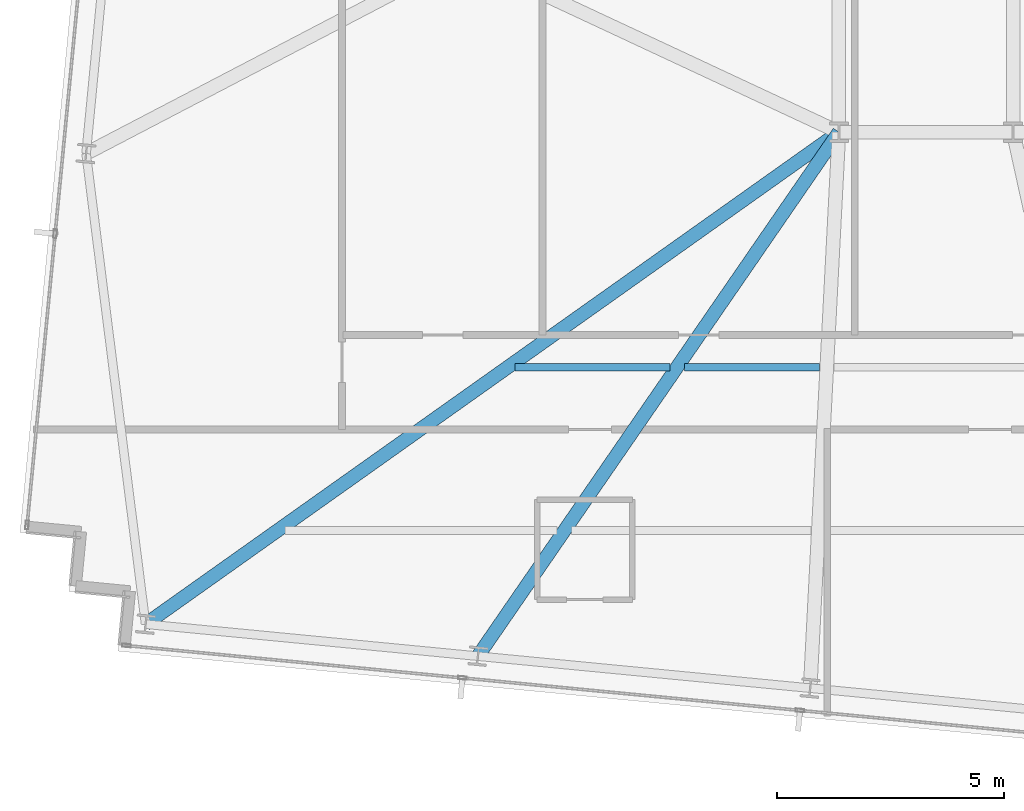
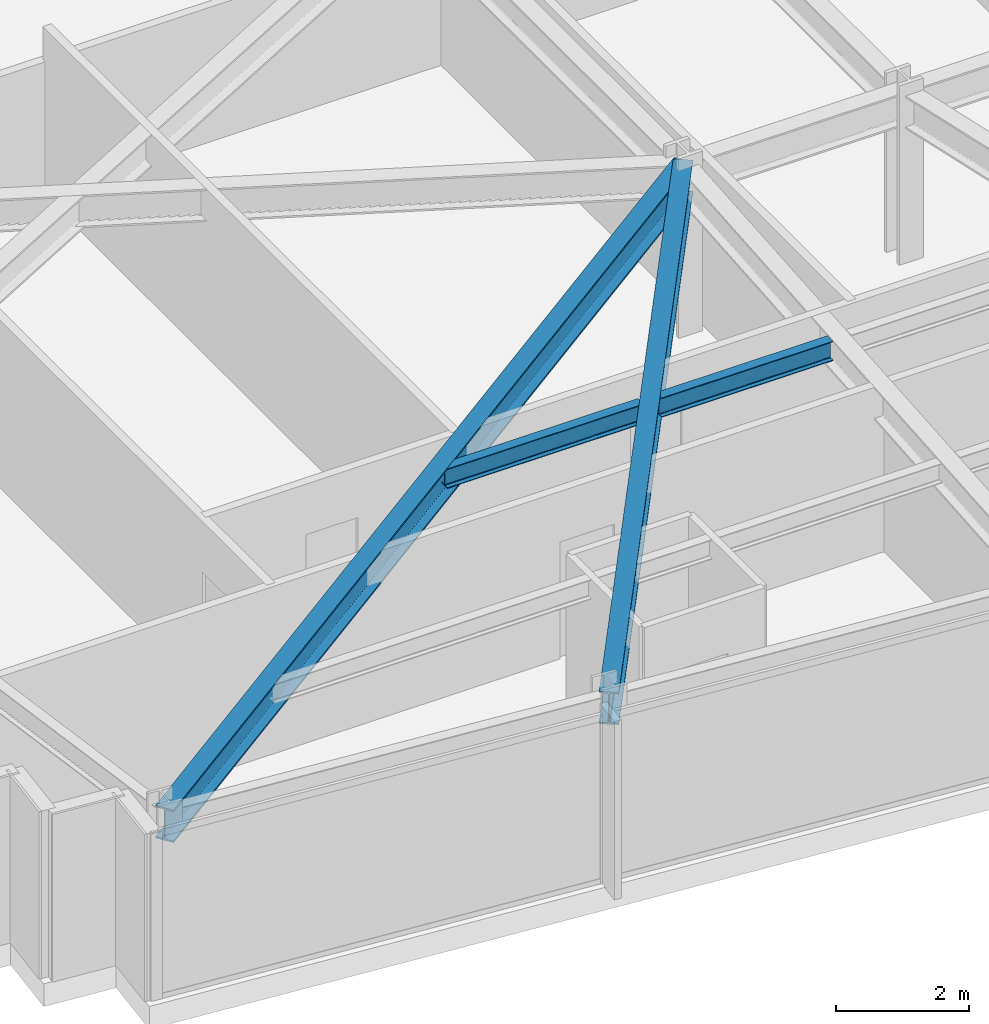
# One storey, part 5 of 37: 4 beams.
"""IFC4 building model written with IfcOpenShell, lengths in metres."""

from ifc_helpers import new_model, si_unit, direction, frame, origin, origin_2d, place, context, subcontext, project, spatial, i_section, extrude, material, material_profile, profile_set, type_object, element, save


model = new_model("IFC4")

# Units and contexts
model_context = context("Model", 3, precision=1e-05, world=origin(), true_north=direction((0.0, 1.0)))
body_context = subcontext(model_context, "Body", "Model", "MODEL_VIEW")
ifc_project = project(units=[si_unit("LENGTHUNIT", "METRE"), si_unit("AREAUNIT", "SQUARE_METRE"), si_unit("VOLUMEUNIT", "CUBIC_METRE"), si_unit("PLANEANGLEUNIT", "RADIAN"), si_unit("MASSUNIT", "GRAM", prefix="KILO")], contexts=[model_context])

# Site, building, storey
site_placement = place(None, origin())
site = spatial("IfcSite", under=ifc_project, at=site_placement, CompositionType="ELEMENT")
building_placement = place(site_placement, origin())
building = spatial("IfcBuilding", under=site, at=building_placement, Name="Yelkora Congress Tower", CompositionType="ELEMENT")
storey_placement = place(building_placement, frame((0.0, 0.0, 149.0)))
storey = spatial("IfcBuildingStorey", under=building, at=storey_placement, Name="L40", CompositionType="ELEMENT", Elevation=149.0)

# Beams
ifc_material = material(Name="Steel S355J2", Category="steel")
ifc_material_profile_1 = material_profile(ifc_material, i_section(OverallWidth=0.300048828125, OverallDepth=0.60009765625, WebThickness=0.015380859375, FlangeThickness=0.030029296875, FilletRadius=0.027099609375, at=origin_2d()), Name="HEB 600")
ifc_profile_set_1 = profile_set([ifc_material_profile_1], Name="Steel S355J2")
beam_type_1 = type_object("IfcBeamType", Name="BM-GIRD-HEB600", PredefinedType="BEAM", material=ifc_profile_set_1)
beam_1_placement = place(storey_placement, frame((3.919189453125, 14.357421875, 2.780029296875), z_axis=(0.815554555366, 0.578680194254, 0.0), x_axis=(-0.578680194254, 0.815554555366, 0.0)))
element("IfcBeam", 1, at=beam_1_placement, inside=storey, type_object=beam_type_1, Name="L40 Primary Frame Girder S01", PredefinedType="BEAM", context=body_context, shape_type="SweptSolid", body=[
    extrude(i_section(OverallWidth=0.300048828125, OverallDepth=0.60009765625, WebThickness=0.015380859375, FlangeThickness=0.030029296875, FilletRadius=0.027099609375, at=origin_2d()), origin(), (0.0, 0.0, 1.0), 18.736572265625),
])
beam_2_placement = place(storey_placement, frame((11.242431640625, 13.652099609375, 2.780029296875), z_axis=(0.567418043278, 0.823429878109, 0.0), x_axis=(-0.823429878109, 0.567418043278, 0.0)))
element("IfcBeam", 2, at=beam_2_placement, inside=storey, type_object=beam_type_1, Name="L40 Primary Frame Girder S02", PredefinedType="BEAM", context=body_context, shape_type="SweptSolid", body=[
    extrude(i_section(OverallWidth=0.300048828125, OverallDepth=0.60009765625, WebThickness=0.015380859375, FlangeThickness=0.030029296875, FilletRadius=0.027099609375, at=origin_2d()), origin(), (0.0, 0.0, 1.0), 14.024169921875),
])
ifc_material_profile_2 = material_profile(ifc_material, i_section(OverallWidth=0.169921875, OverallDepth=0.360107421875, WebThickness=0.008056640625, FlangeThickness=0.0126953125, FilletRadius=0.01806640625, at=origin_2d()), Name="IPE 360")
ifc_profile_set_2 = profile_set([ifc_material_profile_2], Name="Steel S355J2")
beam_type_2 = type_object("IfcBeamType", Name="BM-JOIST-IPE360", PredefinedType="JOIST", material=ifc_profile_set_2)
beam_3_placement = place(storey_placement, frame((12.061279296875, 20.021240234375, 2.89990234375), z_axis=(1.0, 0.0, 0.0), x_axis=(0.0, 1.0, 0.0)))
element("IfcBeam", 3, at=beam_3_placement, inside=storey, type_object=beam_type_2, Name="L40 Composite Floor Joist 12", PredefinedType="JOIST", context=body_context, shape_type="SweptSolid", body=[
    extrude(i_section(OverallWidth=0.169921875, OverallDepth=0.360107421875, WebThickness=0.008056640625, FlangeThickness=0.0126953125, FilletRadius=0.01806640625, at=origin_2d()), origin(), (0.0, 0.0, 1.0), 3.409912109375),
])
beam_4_placement = place(storey_placement, frame((15.791259765625, 20.021240234375, 2.89990234375), z_axis=(1.0, 0.0, 0.0), x_axis=(0.0, 1.0, 0.0)))
element("IfcBeam", 4, at=beam_4_placement, inside=storey, type_object=beam_type_2, Name="L40 Composite Floor Joist 13", PredefinedType="JOIST", context=body_context, shape_type="SweptSolid", body=[
    extrude(i_section(OverallWidth=0.169921875, OverallDepth=0.360107421875, WebThickness=0.008056640625, FlangeThickness=0.0126953125, FilletRadius=0.01806640625, at=origin_2d()), origin(), (0.0, 0.0, 1.0), 2.980712890625),
])

save(model, "model.ifc")
